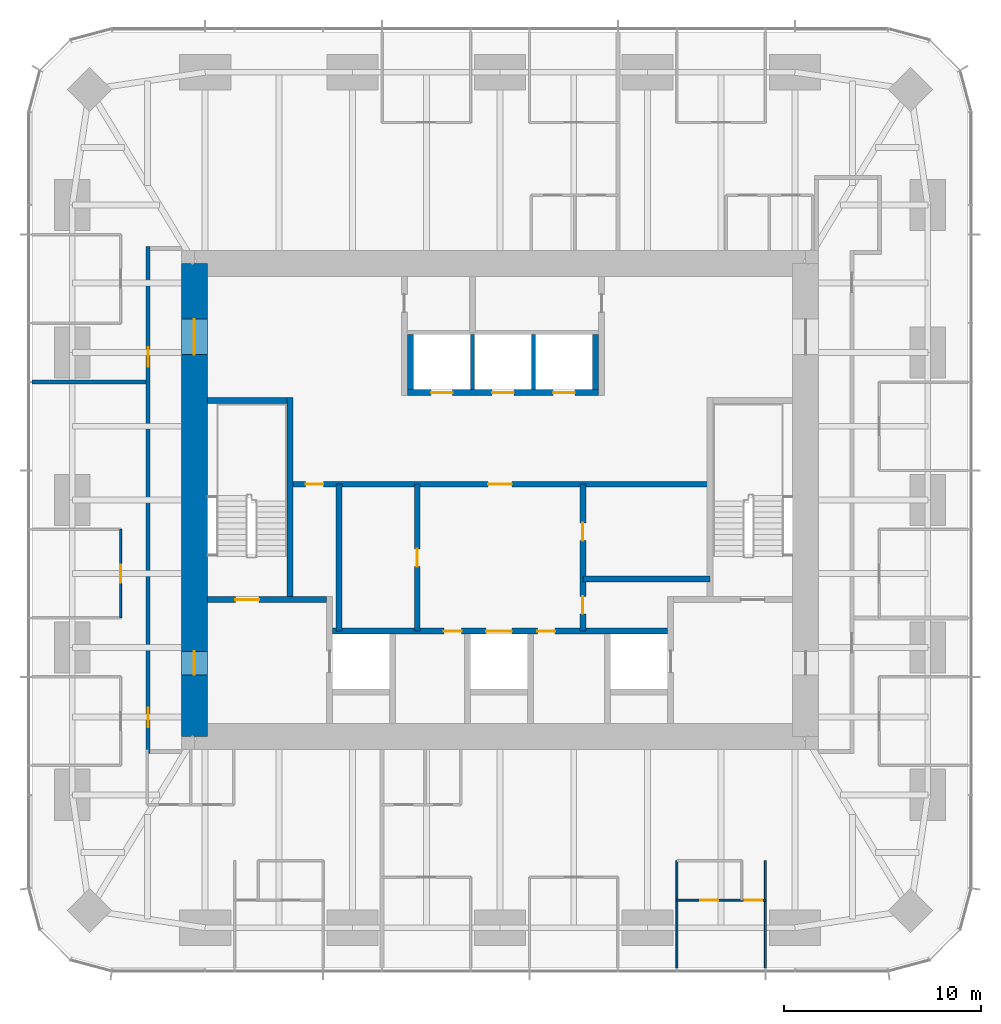
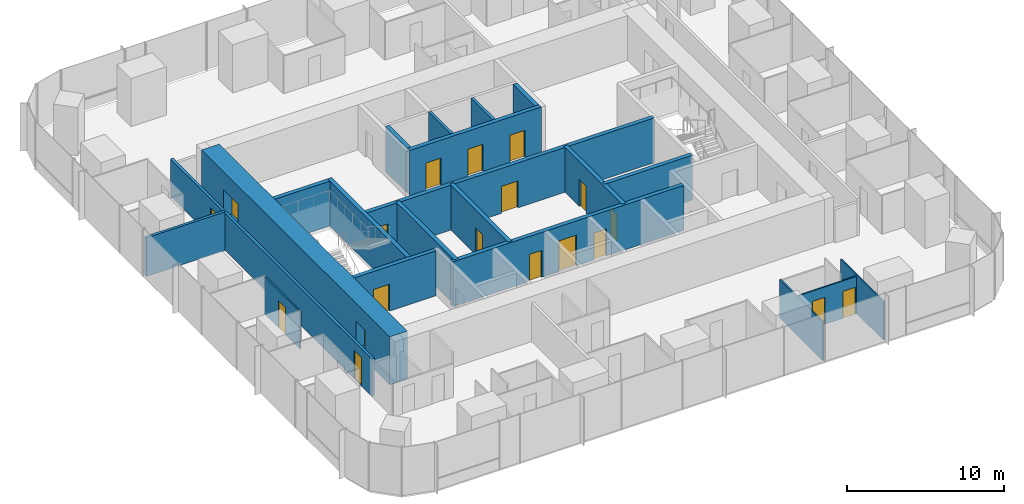
# One storey, part 9 of 12: 21 walls, 19 doors, 19 openings.
"""IFC4 building model written with IfcOpenShell, lengths in metres."""

from ifc_helpers import new_model, si_unit, direction, frame, frame_2d, origin, place, context, subcontext, project, spatial, rectangle, extrude, material, layer, layer_set, type_object, element, fill, save


model = new_model("IFC4")

# Units and contexts
model_context = context("Model", 3, precision=1e-05, world=origin(), true_north=direction((0.0, 1.0)))
body_context = subcontext(model_context, "Body", "Model", "MODEL_VIEW")
ifc_project = project(units=[si_unit("LENGTHUNIT", "METRE"), si_unit("AREAUNIT", "SQUARE_METRE"), si_unit("VOLUMEUNIT", "CUBIC_METRE"), si_unit("PLANEANGLEUNIT", "RADIAN"), si_unit("MASSUNIT", "GRAM", prefix="KILO")], contexts=[model_context])

# Site, building, storey
site_placement = place(None, origin())
site = spatial("IfcSite", under=ifc_project, at=site_placement, CompositionType="ELEMENT")
building_placement = place(site_placement, origin())
building = spatial("IfcBuilding", under=site, at=building_placement, Name="Khuree Lantern Residences", CompositionType="ELEMENT")
storey_placement = place(building_placement, frame((0.0, 0.0, 289.5)))
storey = spatial("IfcBuildingStorey", under=building, at=storey_placement, Name="L72", CompositionType="ELEMENT", Elevation=289.5)

# Wall, openings, doors
ifc_material_1 = material(Name="Dense concrete blockwork", Category="masonry")
ifc_layer_1 = layer(ifc_material_1, 0.300048828125)
ifc_layer_set_1 = layer_set([ifc_layer_1], Name="CORE PARTITION WALL CPW300 EI 120")
wall_type_1 = type_object("IfcWallType", Name="CORE PARTITION WALL CPW300 EI 120", PredefinedType="PARTITIONING", material=ifc_layer_set_1)
wall_1_placement = place(storey_placement, frame((-8.5, -6.64990234375, 0.0), z_axis=(0.0, 0.0, 1.0), x_axis=(1.0, 0.0, 0.0)))
wall_1 = element("IfcWall", 1, at=wall_1_placement, inside=storey, type_object=wall_type_1, Name="L72 CORE WALL FLROW", PredefinedType="PARTITIONING", context=body_context, shape_type="SweptSolid", body=[
    extrude(rectangle(XDim=17.0, YDim=0.300048828125, at=frame_2d((8.5, 0.0))), origin(), (0.0, 0.0, 1.0), 3.5),
])
opening_1_placement = place(wall_1_placement, frame((7.800048828125, 0.0, 0.0)))
opening_1 = element("IfcOpeningElement", 2, at=opening_1_placement, cuts=wall_1, Name="Opening 72-012", PredefinedType="OPENING", context=body_context, shape_type="SweptSolid", body=[
    extrude(rectangle(XDim=1.300048828125, YDim=2.39990234375, at=frame_2d((0.64990234375, 1.199951171875))), frame((0.0, 0.16015625, 0.0), z_axis=(0.0, -1.0, 0.0), x_axis=(1.0, 0.0, 0.0)), (0.0, 0.0, 1.0), 0.320068359375),
])
opening_2_placement = place(wall_1_placement, frame((5.64990234375, 0.0, 0.0)))
opening_2 = element("IfcOpeningElement", 3, at=opening_2_placement, cuts=wall_1, Name="Opening 72-014", PredefinedType="OPENING", context=body_context, shape_type="SweptSolid", body=[
    extrude(rectangle(XDim=0.89990234375, YDim=2.10009765625, at=frame_2d((0.449951171875, 1.050048828125))), frame((0.0, 0.16015625, 0.0), z_axis=(0.0, -1.0, 0.0), x_axis=(1.0, 0.0, 0.0)), (0.0, 0.0, 1.0), 0.320068359375),
])
opening_3_placement = place(wall_1_placement, frame((10.39990234375, 0.0, 0.0)))
opening_3 = element("IfcOpeningElement", 4, at=opening_3_placement, cuts=wall_1, Name="Opening 72-015", PredefinedType="OPENING", context=body_context, shape_type="SweptSolid", body=[
    extrude(rectangle(XDim=0.89990234375, YDim=2.10009765625, at=frame_2d((0.449951171875, 1.050048828125))), frame((0.0, 0.16015625, 0.0), z_axis=(0.0, -1.0, 0.0), x_axis=(1.0, 0.0, 0.0)), (0.0, 0.0, 1.0), 0.320068359375),
])
ifc_material_2 = material(Name="Steel door leaf in steel frame", Category="steel")
door_type_1 = type_object("IfcDoorType", Name="DOOR 900X2100 EI 60", OperationType="SINGLE_SWING_LEFT", PredefinedType="DOOR", material=ifc_material_2)
door_1_placement = place(opening_2_placement, origin())
door_1 = element("IfcDoor", 5, at=door_1_placement, inside=storey, type_object=door_type_1, Name="Refuse chute room door 72-014", OperationType="SINGLE_SWING_LEFT", OverallHeight=2.10009765625, OverallWidth=0.89990234375, PredefinedType="DOOR", context=body_context, shape_type="SweptSolid", body=[
    extrude(rectangle(XDim=0.89990234375, YDim=2.10009765625, at=frame_2d((0.449951171875, 1.050048828125))), frame((0.0, 0.02490234375, 0.0), z_axis=(0.0, -1.0, 0.0), x_axis=(1.0, 0.0, 0.0)), (0.0, 0.0, 1.0), 0.050048828125),
])
fill(opening_2, door_1)
door_type_2 = type_object("IfcDoorType", Name="DOOR 900X2100 EI 60 RIGHT HAND", OperationType="SINGLE_SWING_RIGHT", PredefinedType="DOOR", material=ifc_material_2)
door_2_placement = place(opening_3_placement, origin())
door_2 = element("IfcDoor", 6, at=door_2_placement, inside=storey, type_object=door_type_2, Name="Electrical and plumbing riser door 72-015", OperationType="SINGLE_SWING_RIGHT", OverallHeight=2.10009765625, OverallWidth=0.89990234375, PredefinedType="DOOR", context=body_context, shape_type="SweptSolid", body=[
    extrude(rectangle(XDim=0.89990234375, YDim=2.10009765625, at=frame_2d((0.449951171875, 1.050048828125))), frame((0.0, 0.02490234375, 0.0), z_axis=(0.0, -1.0, 0.0), x_axis=(1.0, 0.0, 0.0)), (0.0, 0.0, 1.0), 0.050048828125),
])
fill(opening_3, door_2)
ifc_material_3 = material(Name="Stainless steel lift landing door", Category="steel")
door_type_3 = type_object("IfcDoorType", Name="LIFT LANDING DOOR 1300X2400 E 60", OperationType="DOUBLE_DOOR_SLIDING", PredefinedType="DOOR", material=ifc_material_3)
door_3_placement = place(opening_1_placement, origin())
door_3 = element("IfcDoor", 7, at=door_3_placement, inside=storey, type_object=door_type_3, Name="Landing door SL1 72-012", OperationType="DOUBLE_DOOR_SLIDING", OverallHeight=2.39990234375, OverallWidth=1.300048828125, PredefinedType="DOOR", context=body_context, shape_type="SweptSolid", body=[
    extrude(rectangle(XDim=1.300048828125, YDim=2.39990234375, at=frame_2d((0.64990234375, 1.199951171875))), frame((0.0, 0.02490234375, 0.0), z_axis=(0.0, -1.0, 0.0), x_axis=(1.0, 0.0, 0.0)), (0.0, 0.0, 1.0), 0.050048828125),
])
fill(opening_1, door_3)

wall_2_placement = place(storey_placement, frame((-4.699951171875, 5.449951171875, 0.0), z_axis=(0.0, 0.0, 1.0), x_axis=(1.0, 0.0, 0.0)))
wall_2 = element("IfcWall", 8, at=wall_2_placement, inside=storey, type_object=wall_type_1, Name="L72 CORE WALL PHS", PredefinedType="PARTITIONING", context=body_context, shape_type="SweptSolid", body=[
    extrude(rectangle(XDim=9.699951171875, YDim=0.300048828125, at=frame_2d((4.85009765625, 0.0))), origin(), (0.0, 0.0, 1.0), 3.5),
])
opening_4_placement = place(wall_2_placement, frame((1.199951171875, 0.0, 0.0)))
opening_4 = element("IfcOpeningElement", 9, at=opening_4_placement, cuts=wall_2, Name="Opening 72-009", PredefinedType="OPENING", context=body_context, shape_type="SweptSolid", body=[
    extrude(rectangle(XDim=1.10009765625, YDim=2.10009765625, at=frame_2d((0.550048828125, 1.050048828125))), frame((0.0, 0.16015625, 0.0), z_axis=(0.0, -1.0, 0.0), x_axis=(1.0, 0.0, 0.0)), (0.0, 0.0, 1.0), 0.320068359375),
])
opening_5_placement = place(wall_2_placement, frame((4.300048828125, 0.0, 0.0)))
opening_5 = element("IfcOpeningElement", 10, at=opening_5_placement, cuts=wall_2, Name="Opening 72-010", PredefinedType="OPENING", context=body_context, shape_type="SweptSolid", body=[
    extrude(rectangle(XDim=1.10009765625, YDim=2.10009765625, at=frame_2d((0.550048828125, 1.050048828125))), frame((0.0, 0.16015625, 0.0), z_axis=(0.0, -1.0, 0.0), x_axis=(1.0, 0.0, 0.0)), (0.0, 0.0, 1.0), 0.320068359375),
])
opening_6_placement = place(wall_2_placement, frame((7.39990234375, 0.0, 0.0)))
opening_6 = element("IfcOpeningElement", 11, at=opening_6_placement, cuts=wall_2, Name="Opening 72-011", PredefinedType="OPENING", context=body_context, shape_type="SweptSolid", body=[
    extrude(rectangle(XDim=1.10009765625, YDim=2.10009765625, at=frame_2d((0.550048828125, 1.050048828125))), frame((0.0, 0.16015625, 0.0), z_axis=(0.0, -1.0, 0.0), x_axis=(1.0, 0.0, 0.0)), (0.0, 0.0, 1.0), 0.320068359375),
])
door_type_4 = type_object("IfcDoorType", Name="LIFT LANDING DOOR 1100X2100 E 60", OperationType="DOUBLE_DOOR_SLIDING", PredefinedType="DOOR", material=ifc_material_3)
door_4_placement = place(opening_4_placement, origin())
door_4 = element("IfcDoor", 12, at=door_4_placement, inside=storey, type_object=door_type_4, Name="Landing door PH1 72-009", OperationType="DOUBLE_DOOR_SLIDING", OverallHeight=2.10009765625, OverallWidth=1.10009765625, PredefinedType="DOOR", context=body_context, shape_type="SweptSolid", body=[
    extrude(rectangle(XDim=1.10009765625, YDim=2.10009765625, at=frame_2d((0.550048828125, 1.050048828125))), frame((0.0, 0.02490234375, 0.0), z_axis=(0.0, -1.0, 0.0), x_axis=(1.0, 0.0, 0.0)), (0.0, 0.0, 1.0), 0.050048828125),
])
fill(opening_4, door_4)
door_5_placement = place(opening_5_placement, origin())
door_5 = element("IfcDoor", 13, at=door_5_placement, inside=storey, type_object=door_type_4, Name="Landing door PH2 72-010", OperationType="DOUBLE_DOOR_SLIDING", OverallHeight=2.10009765625, OverallWidth=1.10009765625, PredefinedType="DOOR", context=body_context, shape_type="SweptSolid", body=[
    extrude(rectangle(XDim=1.10009765625, YDim=2.10009765625, at=frame_2d((0.550048828125, 1.050048828125))), frame((0.0, 0.02490234375, 0.0), z_axis=(0.0, -1.0, 0.0), x_axis=(1.0, 0.0, 0.0)), (0.0, 0.0, 1.0), 0.050048828125),
])
fill(opening_5, door_5)
door_6_placement = place(opening_6_placement, origin())
door_6 = element("IfcDoor", 14, at=door_6_placement, inside=storey, type_object=door_type_4, Name="Landing door PH3 72-011", OperationType="DOUBLE_DOOR_SLIDING", OverallHeight=2.10009765625, OverallWidth=1.10009765625, PredefinedType="DOOR", context=body_context, shape_type="SweptSolid", body=[
    extrude(rectangle(XDim=1.10009765625, YDim=2.10009765625, at=frame_2d((0.550048828125, 1.050048828125))), frame((0.0, 0.02490234375, 0.0), z_axis=(0.0, -1.0, 0.0), x_axis=(1.0, 0.0, 0.0)), (0.0, 0.0, 1.0), 0.050048828125),
])
fill(opening_6, door_6)

# Walls
for number, where, z_axis, x_axis, name in (
    (15, (-4.550048828125, 5.60009765625, 0.0), (0.0, 0.0, 1.0), (0.0, 1.0, 0.0), "L72 CORE WALL PHW"),
    (16, (4.85009765625, 5.60009765625, 0.0), (0.0, 0.0, 1.0), (0.0, 1.0, 0.0), "L72 CORE WALL PHE"),
):
    element("IfcWall", number, at=place(storey_placement, frame(where, z_axis=z_axis, x_axis=x_axis)), inside=storey, type_object=wall_type_1, Name=name, PredefinedType="PARTITIONING", context=body_context, shape_type="SweptSolid", body=[
        extrude(rectangle(XDim=2.7998046875, YDim=0.300048828125, at=frame_2d((1.39990234375, 0.0))), origin(), (0.0, 0.0, 1.0), 3.5),
    ])

# Wall, openings, doors
wall_3_placement = place(storey_placement, frame((-10.64990234375, 0.800048828125, 0.0), z_axis=(0.0, 0.0, 1.0), x_axis=(1.0, 0.0, 0.0)))
wall_3 = element("IfcWall", 17, at=wall_3_placement, inside=storey, type_object=wall_type_1, Name="L72 CORE WALL LLS", PredefinedType="PARTITIONING", context=body_context, shape_type="SweptSolid", body=[
    extrude(rectangle(XDim=21.2998046875, YDim=0.300048828125, at=frame_2d((10.64990234375, 0.0))), origin(), (0.0, 0.0, 1.0), 3.5),
])
opening_7_placement = place(wall_3_placement, frame((10.050048828125, 0.0, 0.0)))
opening_7 = element("IfcOpeningElement", 18, at=opening_7_placement, cuts=wall_3, Name="Opening 72-013", PredefinedType="OPENING", context=body_context, shape_type="SweptSolid", body=[
    extrude(rectangle(XDim=1.199951171875, YDim=2.10009765625, at=frame_2d((0.60009765625, 1.050048828125))), frame((0.0, 0.16015625, 0.0), z_axis=(0.0, -1.0, 0.0), x_axis=(1.0, 0.0, 0.0)), (0.0, 0.0, 1.0), 0.320068359375),
])
opening_8_placement = place(wall_3_placement, frame((0.79296875, 0.0, 0.0)))
opening_8 = element("IfcOpeningElement", 19, at=opening_8_placement, cuts=wall_3, Name="Opening 72-017", PredefinedType="OPENING", context=body_context, shape_type="SweptSolid", body=[
    extrude(rectangle(XDim=0.89990234375, YDim=2.10009765625, at=frame_2d((0.449951171875, 1.050048828125))), frame((0.0, 0.16015625, 0.0), z_axis=(0.0, -1.0, 0.0), x_axis=(1.0, 0.0, 0.0)), (0.0, 0.0, 1.0), 0.320068359375),
])
door_type_5 = type_object("IfcDoorType", Name="DOOR 1200X2100 EI 60", OperationType="SINGLE_SWING_LEFT", PredefinedType="DOOR", material=ifc_material_2)
door_7_placement = place(opening_7_placement, origin())
door_7 = element("IfcDoor", 20, at=door_7_placement, inside=storey, type_object=door_type_5, Name="Service lift lobby door 72-013", OperationType="SINGLE_SWING_LEFT", OverallHeight=2.10009765625, OverallWidth=1.199951171875, PredefinedType="DOOR", context=body_context, shape_type="SweptSolid", body=[
    extrude(rectangle(XDim=1.199951171875, YDim=2.10009765625, at=frame_2d((0.60009765625, 1.050048828125))), frame((0.0, 0.02490234375, 0.0), z_axis=(0.0, -1.0, 0.0), x_axis=(1.0, 0.0, 0.0)), (0.0, 0.0, 1.0), 0.050048828125),
])
fill(opening_7, door_7)
ifc_material_4 = material(Name="Timber door leaf in hardwood frame", Category="wood")
door_type_6 = type_object("IfcDoorType", Name="DOOR 900X2100", OperationType="SINGLE_SWING_LEFT", PredefinedType="DOOR", material=ifc_material_4)
door_8_placement = place(opening_8_placement, origin())
door_8 = element("IfcDoor", 21, at=door_8_placement, inside=storey, type_object=door_type_6, Name="Building management room door 72-017", OperationType="SINGLE_SWING_LEFT", OverallHeight=2.10009765625, OverallWidth=0.89990234375, PredefinedType="DOOR", context=body_context, shape_type="SweptSolid", body=[
    extrude(rectangle(XDim=0.89990234375, YDim=2.10009765625, at=frame_2d((0.449951171875, 1.050048828125))), frame((0.0, 0.02490234375, 0.0), z_axis=(0.0, -1.0, 0.0), x_axis=(1.0, 0.0, 0.0)), (0.0, 0.0, 1.0), 0.050048828125),
])
fill(opening_8, door_8)

# Wall, opening, door
wall_4_placement = place(storey_placement, frame((-4.199951171875, -6.64990234375, 0.0), z_axis=(0.0, 0.0, 1.0), x_axis=(0.0, 1.0, 0.0)))
wall_4 = element("IfcWall", 22, at=wall_4_placement, inside=storey, type_object=wall_type_1, Name="L72 CORE WALL SVW", PredefinedType="PARTITIONING", context=body_context, shape_type="SweptSolid", body=[
    extrude(rectangle(XDim=7.449951171875, YDim=0.300048828125, at=frame_2d((3.72509765625, 0.0))), origin(), (0.0, 0.0, 1.0), 3.5),
])
opening_9_placement = place(wall_4_placement, frame((3.27490234375, 0.0, 0.0)))
opening_9 = element("IfcOpeningElement", 23, at=opening_9_placement, cuts=wall_4, Name="Opening 72-016", PredefinedType="OPENING", context=body_context, shape_type="SweptSolid", body=[
    extrude(rectangle(XDim=0.89990234375, YDim=2.10009765625, at=frame_2d((0.449951171875, 1.050048828125))), frame((0.0, 0.16015625, 0.0), z_axis=(0.0, -1.0, 0.0), x_axis=(1.0, 0.0, 0.0)), (0.0, 0.0, 1.0), 0.320068359375),
])
door_9_placement = place(opening_9_placement, origin())
door_9 = element("IfcDoor", 24, at=door_9_placement, inside=storey, type_object=door_type_6, Name="Residents' store door 72-016", OperationType="SINGLE_SWING_LEFT", OverallHeight=2.10009765625, OverallWidth=0.89990234375, PredefinedType="DOOR", context=body_context, shape_type="SweptSolid", body=[
    extrude(rectangle(XDim=0.89990234375, YDim=2.10009765625, at=frame_2d((0.449951171875, 1.050048828125))), frame((0.0, 0.02490234375, 0.0), z_axis=(0.0, -1.0, 0.0), x_axis=(1.0, 0.0, 0.0)), (0.0, 0.0, 1.0), 0.050048828125),
])
fill(opening_9, door_9)

# Wall, openings, doors
wall_5_placement = place(storey_placement, frame((4.199951171875, -6.64990234375, 0.0), z_axis=(0.0, 0.0, 1.0), x_axis=(0.0, 1.0, 0.0)))
wall_5 = element("IfcWall", 25, at=wall_5_placement, inside=storey, type_object=wall_type_1, Name="L72 CORE WALL SVE", PredefinedType="PARTITIONING", context=body_context, shape_type="SweptSolid", body=[
    extrude(rectangle(XDim=7.449951171875, YDim=0.300048828125, at=frame_2d((3.72509765625, 0.0))), origin(), (0.0, 0.0, 1.0), 3.5),
])
opening_10_placement = place(wall_5_placement, frame((0.865966796875, 0.0, 0.0)))
opening_10 = element("IfcOpeningElement", 26, at=opening_10_placement, cuts=wall_5, Name="Opening 72-018", PredefinedType="OPENING", context=body_context, shape_type="SweptSolid", body=[
    extrude(rectangle(XDim=0.89990234375, YDim=2.10009765625, at=frame_2d((0.449951171875, 1.050048828125))), frame((0.0, 0.16015625, 0.0), z_axis=(0.0, -1.0, 0.0), x_axis=(1.0, 0.0, 0.0)), (0.0, 0.0, 1.0), 0.320068359375),
])
opening_11_placement = place(wall_5_placement, frame((4.591064453125, 0.0, 0.0)))
opening_11 = element("IfcOpeningElement", 27, at=opening_11_placement, cuts=wall_5, Name="Opening 72-019", PredefinedType="OPENING", context=body_context, shape_type="SweptSolid", body=[
    extrude(rectangle(XDim=0.89990234375, YDim=2.10009765625, at=frame_2d((0.449951171875, 1.050048828125))), frame((0.0, 0.16015625, 0.0), z_axis=(0.0, -1.0, 0.0), x_axis=(1.0, 0.0, 0.0)), (0.0, 0.0, 1.0), 0.320068359375),
])
door_10_placement = place(opening_10_placement, origin())
door_10 = element("IfcDoor", 28, at=door_10_placement, inside=storey, type_object=door_type_6, Name="Housekeeping store door 72-018", OperationType="SINGLE_SWING_LEFT", OverallHeight=2.10009765625, OverallWidth=0.89990234375, PredefinedType="DOOR", context=body_context, shape_type="SweptSolid", body=[
    extrude(rectangle(XDim=0.89990234375, YDim=2.10009765625, at=frame_2d((0.449951171875, 1.050048828125))), frame((0.0, 0.02490234375, 0.0), z_axis=(0.0, -1.0, 0.0), x_axis=(1.0, 0.0, 0.0)), (0.0, 0.0, 1.0), 0.050048828125),
])
fill(opening_10, door_10)
door_type_7 = type_object("IfcDoorType", Name="DOOR 900X2100 RIGHT HAND", OperationType="SINGLE_SWING_RIGHT", PredefinedType="DOOR", material=ifc_material_4)
door_11_placement = place(opening_11_placement, origin())
door_11 = element("IfcDoor", 29, at=door_11_placement, inside=storey, type_object=door_type_7, Name="Residents' store door 72-019", OperationType="SINGLE_SWING_RIGHT", OverallHeight=2.10009765625, OverallWidth=0.89990234375, PredefinedType="DOOR", context=body_context, shape_type="SweptSolid", body=[
    extrude(rectangle(XDim=0.89990234375, YDim=2.10009765625, at=frame_2d((0.449951171875, 1.050048828125))), frame((0.0, 0.02490234375, 0.0), z_axis=(0.0, -1.0, 0.0), x_axis=(1.0, 0.0, 0.0)), (0.0, 0.0, 1.0), 0.050048828125),
])
fill(opening_11, door_11)

# Walls
wall_6_placement = place(storey_placement, frame((-8.1630859375, -6.64990234375, 0.0), z_axis=(0.0, 0.0, 1.0), x_axis=(0.0, 1.0, 0.0)))
element("IfcWall", 30, at=wall_6_placement, inside=storey, type_object=wall_type_1, Name="L72 CORE WALL WV", PredefinedType="PARTITIONING", context=body_context, shape_type="SweptSolid", body=[
    extrude(rectangle(XDim=7.449951171875, YDim=0.300048828125, at=frame_2d((3.72509765625, 0.0))), origin(), (0.0, 0.0, 1.0), 3.5),
])
wall_7_placement = place(storey_placement, frame((10.64990234375, -4.01806640625, 0.0), z_axis=(0.0, 0.0, 1.0), x_axis=(-1.0, 0.0, 0.0)))
element("IfcWall", 31, at=wall_7_placement, inside=storey, type_object=wall_type_1, Name="L72 CORE WALL EX", PredefinedType="PARTITIONING", context=body_context, shape_type="SweptSolid", body=[
    extrude(rectangle(XDim=6.449951171875, YDim=0.300048828125, at=frame_2d((3.22509765625, 0.0))), origin(), (0.0, 0.0, 1.0), 3.5),
])

# Wall, openings, doors
ifc_material_5 = material(Name="Gypsum board on steel studs", Category="steel")
ifc_layer_2 = layer(ifc_material_5, 0.199951171875)
ifc_layer_set_2 = layer_set([ifc_layer_2], Name="CORRIDOR WALL CRW200 EI 60")
wall_type_2 = type_object("IfcWallType", Name="CORRIDOR WALL CRW200 EI 60", PredefinedType="PARTITIONING", material=ifc_layer_set_2)
wall_8_placement = place(storey_placement, frame((-17.85009765625, 12.85009765625, 0.0), z_axis=(0.0, 0.0, 1.0), x_axis=(0.0, -1.0, 0.0)))
wall_8 = element("IfcWall", 32, at=wall_8_placement, inside=storey, type_object=wall_type_2, Name="L72 CORRIDOR WALL WEST 1", PredefinedType="PARTITIONING", context=body_context, shape_type="SweptSolid", body=[
    extrude(rectangle(XDim=25.7001953125, YDim=0.199951171875, at=frame_2d((12.85009765625, 0.0))), origin(), (0.0, 0.0, 1.0), 2.89990234375),
])
opening_12_placement = place(wall_8_placement, frame((5.10009765625, 0.0, 0.0)))
opening_12 = element("IfcOpeningElement", 33, at=opening_12_placement, cuts=wall_8, Name="Opening 72-033", PredefinedType="OPENING", context=body_context, shape_type="SweptSolid", body=[
    extrude(rectangle(XDim=1.0, YDim=2.199951171875, at=frame_2d((0.5, 1.10009765625))), frame((0.0, 0.10986328125, 0.0), z_axis=(0.0, -1.0, 0.0), x_axis=(1.0, 0.0, 0.0)), (0.0, 0.0, 1.0), 0.219970703125),
])
opening_13_placement = place(wall_8_placement, frame((23.385986328125, 0.0, 0.0)))
opening_13 = element("IfcOpeningElement", 34, at=opening_13_placement, cuts=wall_8, Name="Opening 72-040", PredefinedType="OPENING", context=body_context, shape_type="SweptSolid", body=[
    extrude(rectangle(XDim=1.0, YDim=2.199951171875, at=frame_2d((0.5, 1.10009765625))), frame((0.0, 0.10986328125, 0.0), z_axis=(0.0, -1.0, 0.0), x_axis=(1.0, 0.0, 0.0)), (0.0, 0.0, 1.0), 0.219970703125),
])
door_type_8 = type_object("IfcDoorType", Name="APARTMENT ENTRANCE DOOR 1000X2200 EI 30S", OperationType="SINGLE_SWING_LEFT", PredefinedType="DOOR", material=ifc_material_4)
door_12_placement = place(opening_12_placement, origin())
door_12 = element("IfcDoor", 35, at=door_12_placement, inside=storey, type_object=door_type_8, Name="Apartment 02 entrance door 72-033", OperationType="SINGLE_SWING_LEFT", OverallHeight=2.199951171875, OverallWidth=1.0, PredefinedType="DOOR", context=body_context, shape_type="SweptSolid", body=[
    extrude(rectangle(XDim=1.0, YDim=2.199951171875, at=frame_2d((0.5, 1.10009765625))), frame((0.0, 0.02490234375, 0.0), z_axis=(0.0, -1.0, 0.0), x_axis=(1.0, 0.0, 0.0)), (0.0, 0.0, 1.0), 0.050048828125),
])
fill(opening_12, door_12)
door_type_9 = type_object("IfcDoorType", Name="APARTMENT ENTRANCE DOOR 1000X2200 EI 30S RIGHT HAND", OperationType="SINGLE_SWING_RIGHT", PredefinedType="DOOR", material=ifc_material_4)
door_13_placement = place(opening_13_placement, origin())
door_13 = element("IfcDoor", 36, at=door_13_placement, inside=storey, type_object=door_type_9, Name="Apartment 03 entrance door 72-040", OperationType="SINGLE_SWING_RIGHT", OverallHeight=2.199951171875, OverallWidth=1.0, PredefinedType="DOOR", context=body_context, shape_type="SweptSolid", body=[
    extrude(rectangle(XDim=1.0, YDim=2.199951171875, at=frame_2d((0.5, 1.10009765625))), frame((0.0, 0.02490234375, 0.0), z_axis=(0.0, -1.0, 0.0), x_axis=(1.0, 0.0, 0.0)), (0.0, 0.0, 1.0), 0.050048828125),
])
fill(opening_13, door_13)

ifc_material_6 = material(Name="Concrete C50/60", Category="concrete")
ifc_layer_3 = layer(ifc_material_6, 1.300048828125)
ifc_layer_set_3 = layer_set([ifc_layer_3], Name="CW1300-C50 CORE WALL C50 1300")
wall_type_3 = type_object("IfcWallType", Name="CW1300-C50 CORE WALL C50 1300", PredefinedType="SHEAR", material=ifc_layer_set_3)
wall_9_placement = place(storey_placement, frame((-15.5, -12.0, -0.25), z_axis=(0.0, 0.0, 1.0), x_axis=(0.0, 1.0, 0.0)))
wall_9 = element("IfcWall", 37, at=wall_9_placement, inside=storey, type_object=wall_type_3, Name="Core wall W", PredefinedType="SHEAR", context=body_context, shape_type="SweptSolid", body=[
    extrude(rectangle(XDim=24.0, YDim=1.300048828125, at=frame_2d((12.0, 0.0))), origin(), (0.0, 0.0, 1.0), 3.75),
])
opening_14_placement = place(wall_9_placement, frame((3.125, 0.0, 0.25)))
opening_14 = element("IfcOpeningElement", 38, at=opening_14_placement, cuts=wall_9, Name="Opening 72-002", PredefinedType="OPENING", context=body_context, shape_type="SweptSolid", body=[
    extrude(rectangle(XDim=1.199951171875, YDim=2.10009765625, at=frame_2d((0.60009765625, 1.050048828125))), frame((0.0, 0.66015625, 0.0), z_axis=(0.0, -1.0, 0.0), x_axis=(1.0, 0.0, 0.0)), (0.0, 0.0, 1.0), 1.320068359375),
])
opening_15_placement = place(wall_9_placement, frame((19.375, 0.0, 0.25)))
opening_15 = element("IfcOpeningElement", 39, at=opening_15_placement, cuts=wall_9, Name="Opening 72-003", PredefinedType="OPENING", context=body_context, shape_type="SweptSolid", body=[
    extrude(rectangle(XDim=1.800048828125, YDim=2.10009765625, at=frame_2d((0.89990234375, 1.050048828125))), frame((0.0, 0.66015625, 0.0), z_axis=(0.0, -1.0, 0.0), x_axis=(1.0, 0.0, 0.0)), (0.0, 0.0, 1.0), 1.320068359375),
])
door_type_10 = type_object("IfcDoorType", Name="LOBBY DOOR 1200X2100 EI 120", OperationType="SINGLE_SWING_LEFT", PredefinedType="DOOR", material=ifc_material_2)
door_14_placement = place(opening_14_placement, origin())
door_14 = element("IfcDoor", 40, at=door_14_placement, inside=storey, type_object=door_type_10, Name="Firefighting lobby door 72-002", OperationType="SINGLE_SWING_LEFT", OverallHeight=2.10009765625, OverallWidth=1.199951171875, PredefinedType="DOOR", context=body_context, shape_type="SweptSolid", body=[
    extrude(rectangle(XDim=1.199951171875, YDim=2.10009765625, at=frame_2d((0.60009765625, 1.050048828125))), frame((0.0, 0.02490234375, 0.0), z_axis=(0.0, -1.0, 0.0), x_axis=(1.0, 0.0, 0.0)), (0.0, 0.0, 1.0), 0.050048828125),
])
fill(opening_14, door_14)
door_type_11 = type_object("IfcDoorType", Name="LOBBY DOUBLE DOOR 1800X2100 EI 60", OperationType="DOUBLE_DOOR_SINGLE_SWING", PredefinedType="DOOR", material=ifc_material_2)
door_15_placement = place(opening_15_placement, origin())
door_15 = element("IfcDoor", 41, at=door_15_placement, inside=storey, type_object=door_type_11, Name="Lift lobby door 72-003", OperationType="DOUBLE_DOOR_SINGLE_SWING", OverallHeight=2.10009765625, OverallWidth=1.800048828125, PredefinedType="DOOR", context=body_context, shape_type="SweptSolid", body=[
    extrude(rectangle(XDim=1.800048828125, YDim=2.10009765625, at=frame_2d((0.89990234375, 1.050048828125))), frame((0.0, 0.02490234375, 0.0), z_axis=(0.0, -1.0, 0.0), x_axis=(1.0, 0.0, 0.0)), (0.0, 0.0, 1.0), 0.050048828125),
])
fill(opening_15, door_15)

# Walls
ifc_layer_4 = layer(ifc_material_5, 0.199951171875)
ifc_layer_set_4 = layer_set([ifc_layer_4], Name="DEMISING WALL DMW200 EI 90")
wall_type_4 = type_object("IfcWallType", Name="DEMISING WALL DMW200 EI 90", PredefinedType="PARTITIONING", material=ifc_layer_set_4)
wall_10_placement = place(storey_placement, frame((-17.949951171875, 5.98388671875, 0.0), z_axis=(0.0, 0.0, 1.0), x_axis=(-1.0, 0.0, 0.0)))
element("IfcWall", 42, at=wall_10_placement, inside=storey, type_object=wall_type_4, Name="L72 DEMISING WALL 03", PredefinedType="PARTITIONING", context=body_context, shape_type="SweptSolid", body=[
    extrude(rectangle(XDim=5.800048828125, YDim=0.199951171875, at=frame_2d((2.89990234375, 0.0))), origin(), (0.0, 0.0, 1.0), 3.010009765625),
])
ifc_layer_5 = layer(ifc_material_5, 0.10009765625)
ifc_layer_set_5 = layer_set([ifc_layer_5], Name="PARTITION PT100")
wall_type_5 = type_object("IfcWallType", Name="PARTITION PT100", PredefinedType="PARTITIONING", material=ifc_layer_set_5)
for number, where, z_axis, x_axis, name in (
    (43, (8.97607421875, -18.29638671875, 0.0), (0.0, 0.0, 1.0), (0.0, -1.0, 0.0), "L72 PARTITION 04"),
    (44, (13.464111328125, -18.29638671875, 0.0), (0.0, 0.0, 1.0), (0.0, -1.0, 0.0), "L72 PARTITION 04"),
):
    element("IfcWall", number, at=place(storey_placement, frame(where, z_axis=z_axis, x_axis=x_axis)), inside=storey, type_object=wall_type_5, Name=name, PredefinedType="PARTITIONING", context=body_context, shape_type="SweptSolid", body=[
        extrude(rectangle(XDim=5.45361328125, YDim=0.10009765625, at=frame_2d((2.726806640625, 0.0))), origin(), (0.0, 0.0, 1.0), 3.010009765625),
    ])

# Wall, opening, door
wall_11_placement = place(storey_placement, frame((-19.25, -1.49609375, 0.0), z_axis=(0.0, 0.0, 1.0), x_axis=(0.0, -1.0, 0.0)))
wall_11 = element("IfcWall", 45, at=wall_11_placement, inside=storey, type_object=wall_type_5, Name="L72 PARTITION 03", PredefinedType="PARTITIONING", context=body_context, shape_type="SweptSolid", body=[
    extrude(rectangle(XDim=4.48779296875, YDim=0.10009765625, at=frame_2d((2.243896484375, 0.0))), origin(), (0.0, 0.0, 1.0), 2.909912109375),
])
opening_16_placement = place(wall_11_placement, frame((1.7939453125, 0.0, 0.0)))
opening_16 = element("IfcOpeningElement", 46, at=opening_16_placement, cuts=wall_11, Name="Opening 72-034", PredefinedType="OPENING", context=body_context, shape_type="SweptSolid", body=[
    extrude(rectangle(XDim=0.89990234375, YDim=2.10009765625, at=frame_2d((0.449951171875, 1.050048828125))), frame((0.0, 0.06005859375, 0.0), z_axis=(0.0, -1.0, 0.0), x_axis=(1.0, 0.0, 0.0)), (0.0, 0.0, 1.0), 0.1201171875),
])
door_type_12 = type_object("IfcDoorType", Name="BEDROOM DOOR 900X2100", OperationType="SINGLE_SWING_LEFT", PredefinedType="DOOR", material=ifc_material_4)
door_16_placement = place(opening_16_placement, origin())
door_16 = element("IfcDoor", 47, at=door_16_placement, inside=storey, type_object=door_type_12, Name="Bedroom door 72-034", OperationType="SINGLE_SWING_LEFT", OverallHeight=2.10009765625, OverallWidth=0.89990234375, PredefinedType="DOOR", context=body_context, shape_type="SweptSolid", body=[
    extrude(rectangle(XDim=0.89990234375, YDim=2.10009765625, at=frame_2d((0.449951171875, 1.050048828125))), frame((0.0, 0.02490234375, 0.0), z_axis=(0.0, -1.0, 0.0), x_axis=(1.0, 0.0, 0.0)), (0.0, 0.0, 1.0), 0.050048828125),
])
fill(opening_16, door_16)

# Wall, openings, doors
wall_12_placement = place(storey_placement, frame((8.97607421875, -20.29638671875, 0.0), z_axis=(0.0, 0.0, 1.0), x_axis=(1.0, 0.0, 0.0)))
wall_12 = element("IfcWall", 48, at=wall_12_placement, inside=storey, type_object=wall_type_5, Name="L72 PARTITION 04", PredefinedType="PARTITIONING", context=body_context, shape_type="SweptSolid", body=[
    extrude(rectangle(XDim=4.488037109375, YDim=0.10009765625, at=frame_2d((2.244140625, 0.0))), origin(), (0.0, 0.0, 1.0), 2.909912109375),
])
opening_17_placement = place(wall_12_placement, frame((3.43798828125, 0.0, 0.0)))
opening_17 = element("IfcOpeningElement", 49, at=opening_17_placement, cuts=wall_12, Name="Opening 72-043", PredefinedType="OPENING", context=body_context, shape_type="SweptSolid", body=[
    extrude(rectangle(XDim=0.89990234375, YDim=2.10009765625, at=frame_2d((0.449951171875, 1.050048828125))), frame((0.0, 0.06005859375, 0.0), z_axis=(0.0, -1.0, 0.0), x_axis=(1.0, 0.0, 0.0)), (0.0, 0.0, 1.0), 0.1201171875),
])
opening_18_placement = place(wall_12_placement, frame((1.194091796875, 0.0, 0.0)))
opening_18 = element("IfcOpeningElement", 50, at=opening_18_placement, cuts=wall_12, Name="Opening 72-044", PredefinedType="OPENING", context=body_context, shape_type="SweptSolid", body=[
    extrude(rectangle(XDim=0.89990234375, YDim=2.10009765625, at=frame_2d((0.449951171875, 1.050048828125))), frame((0.0, 0.06005859375, 0.0), z_axis=(0.0, -1.0, 0.0), x_axis=(1.0, 0.0, 0.0)), (0.0, 0.0, 1.0), 0.1201171875),
])
door_type_13 = type_object("IfcDoorType", Name="BATHROOM DOOR 900X2100", OperationType="SINGLE_SWING_LEFT", PredefinedType="DOOR", material=ifc_material_4)
door_17_placement = place(opening_18_placement, origin())
door_17 = element("IfcDoor", 51, at=door_17_placement, inside=storey, type_object=door_type_13, Name="Bathroom door 72-044", OperationType="SINGLE_SWING_LEFT", OverallHeight=2.10009765625, OverallWidth=0.89990234375, PredefinedType="DOOR", context=body_context, shape_type="SweptSolid", body=[
    extrude(rectangle(XDim=0.89990234375, YDim=2.10009765625, at=frame_2d((0.449951171875, 1.050048828125))), frame((0.0, 0.02490234375, 0.0), z_axis=(0.0, -1.0, 0.0), x_axis=(1.0, 0.0, 0.0)), (0.0, 0.0, 1.0), 0.050048828125),
])
fill(opening_18, door_17)
door_18_placement = place(opening_17_placement, origin())
door_18 = element("IfcDoor", 52, at=door_18_placement, inside=storey, type_object=door_type_12, Name="Bedroom door 72-043", OperationType="SINGLE_SWING_LEFT", OverallHeight=2.10009765625, OverallWidth=0.89990234375, PredefinedType="DOOR", context=body_context, shape_type="SweptSolid", body=[
    extrude(rectangle(XDim=0.89990234375, YDim=2.10009765625, at=frame_2d((0.449951171875, 1.050048828125))), frame((0.0, 0.02490234375, 0.0), z_axis=(0.0, -1.0, 0.0), x_axis=(1.0, 0.0, 0.0)), (0.0, 0.0, 1.0), 0.050048828125),
])
fill(opening_17, door_18)

# Walls
ifc_layer_6 = layer(ifc_material_1, 0.199951171875)
ifc_layer_set_6 = layer_set([ifc_layer_6], Name="SHAFT WALL SHW200 EI 120")
wall_type_6 = type_object("IfcWallType", Name="SHAFT WALL SHW200 EI 120", PredefinedType="PARTITIONING", material=ifc_layer_set_6)
for number, where, z_axis, x_axis, name in (
    (53, (-1.39990234375, 5.60009765625, 0.0), (0.0, 0.0, 1.0), (0.0, 1.0, 0.0), "L72 CORE WALL PHD1"),
    (54, (1.699951171875, 5.60009765625, 0.0), (0.0, 0.0, 1.0), (0.0, 1.0, 0.0), "L72 CORE WALL PHD2"),
):
    element("IfcWall", number, at=place(storey_placement, frame(where, z_axis=z_axis, x_axis=x_axis)), inside=storey, type_object=wall_type_6, Name=name, PredefinedType="PARTITIONING", context=body_context, shape_type="SweptSolid", body=[
        extrude(rectangle(XDim=2.7998046875, YDim=0.199951171875, at=frame_2d((1.39990234375, 0.0))), origin(), (0.0, 0.0, 1.0), 3.5),
    ])
ifc_layer_7 = layer(ifc_material_6, 0.300048828125)
ifc_layer_set_7 = layer_set([ifc_layer_7], Name="STAIR WALL SRW300 C50/60 REI 240")
wall_type_7 = type_object("IfcWallType", Name="STAIR WALL SRW300 C50/60 REI 240", PredefinedType="SOLIDWALL", material=ifc_layer_set_7)
wall_13_placement = place(storey_placement, frame((-10.64990234375, -4.89990234375, 0.0), z_axis=(0.0, 0.0, 1.0), x_axis=(0.0, 1.0, 0.0)))
element("IfcWall", 55, at=wall_13_placement, inside=storey, type_object=wall_type_7, Name="L72 STAIR WALL ST1E", PredefinedType="SOLIDWALL", context=body_context, shape_type="SweptSolid", body=[
    extrude(rectangle(XDim=10.099853515625, YDim=0.300048828125, at=frame_2d((5.0498046875, 0.0))), origin(), (0.0, 0.0, 1.0), 3.5),
])

# Wall, opening, door
wall_14_placement = place(storey_placement, frame((-14.85009765625, -5.050048828125, 0.0), z_axis=(0.0, 0.0, 1.0), x_axis=(1.0, 0.0, 0.0)))
wall_14 = element("IfcWall", 56, at=wall_14_placement, inside=storey, type_object=wall_type_7, Name="L72 STAIR WALL ST1S", PredefinedType="SOLIDWALL", context=body_context, shape_type="SweptSolid", body=[
    extrude(rectangle(XDim=6.050048828125, YDim=0.300048828125, at=frame_2d((3.02490234375, 0.0))), origin(), (0.0, 0.0, 1.0), 3.5),
])
opening_19_placement = place(wall_14_placement, frame((1.425048828125, 0.0, 0.0)))
opening_19 = element("IfcOpeningElement", 57, at=opening_19_placement, cuts=wall_14, Name="Opening 72-001", PredefinedType="OPENING", context=body_context, shape_type="SweptSolid", body=[
    extrude(rectangle(XDim=1.199951171875, YDim=2.10009765625, at=frame_2d((0.60009765625, 1.050048828125))), frame((0.0, 0.16015625, 0.0), z_axis=(0.0, -1.0, 0.0), x_axis=(1.0, 0.0, 0.0)), (0.0, 0.0, 1.0), 0.320068359375),
])
door_type_14 = type_object("IfcDoorType", Name="STAIR DOOR 1200X2100 EI 120", OperationType="SINGLE_SWING_LEFT", PredefinedType="DOOR", material=ifc_material_2)
door_19_placement = place(opening_19_placement, origin())
door_19 = element("IfcDoor", 58, at=door_19_placement, inside=storey, type_object=door_type_14, Name="Stair ST1 door 72-001", OperationType="SINGLE_SWING_LEFT", OverallHeight=2.10009765625, OverallWidth=1.199951171875, PredefinedType="DOOR", context=body_context, shape_type="SweptSolid", body=[
    extrude(rectangle(XDim=1.199951171875, YDim=2.10009765625, at=frame_2d((0.60009765625, 1.050048828125))), frame((0.0, 0.02490234375, 0.0), z_axis=(0.0, -1.0, 0.0), x_axis=(1.0, 0.0, 0.0)), (0.0, 0.0, 1.0), 0.050048828125),
])
fill(opening_19, door_19)

# Wall
wall_15_placement = place(storey_placement, frame((-14.85009765625, 5.050048828125, 0.0), z_axis=(0.0, 0.0, 1.0), x_axis=(1.0, 0.0, 0.0)))
element("IfcWall", 59, at=wall_15_placement, inside=storey, type_object=wall_type_7, Name="L72 STAIR WALL ST1N", PredefinedType="SOLIDWALL", context=body_context, shape_type="SweptSolid", body=[
    extrude(rectangle(XDim=4.050048828125, YDim=0.300048828125, at=frame_2d((2.02490234375, 0.0))), origin(), (0.0, 0.0, 1.0), 3.5),
])

save(model, "model.ifc")
